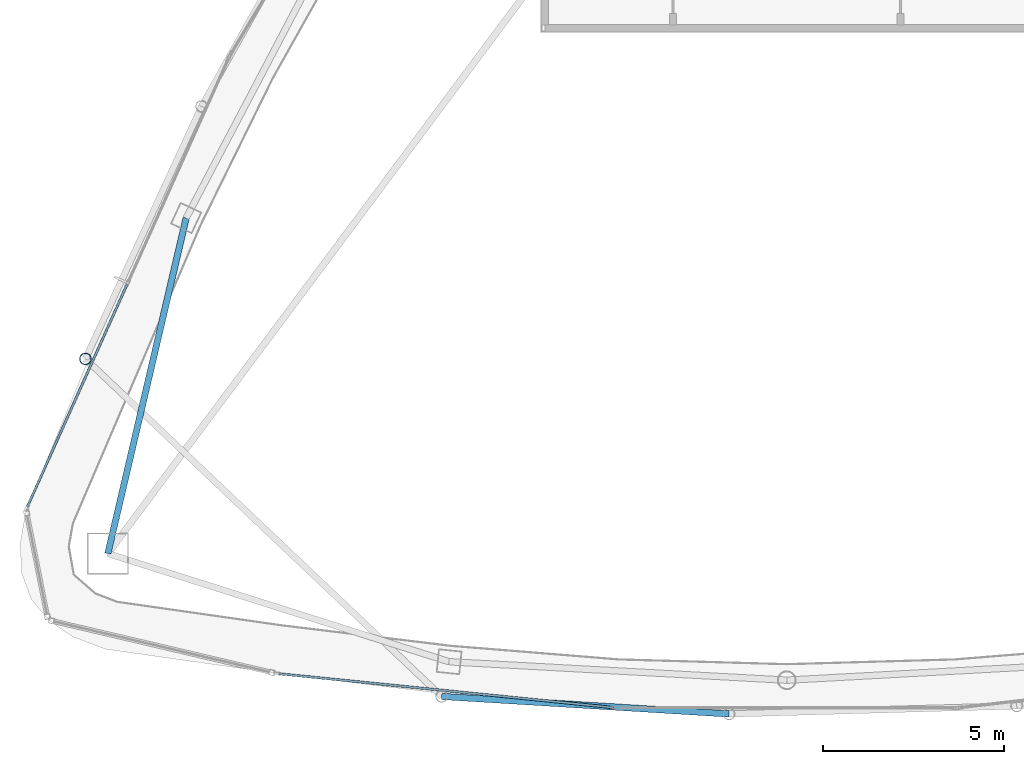
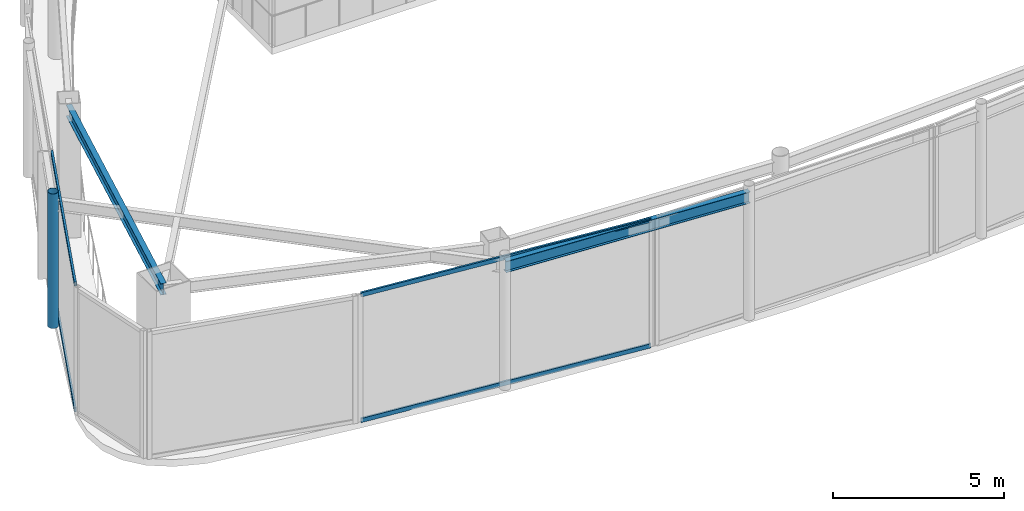
# One storey, part 3 of 19: 5 members, 2 beams, 2 elements without a shape of their own.
"""IFC4 building model written with IfcOpenShell, lengths in metres."""

from ifc_helpers import new_model, si_unit, direction, frame, origin, origin_2d, place, context, subcontext, project, spatial, hollow_rectangle, hollow_circle, i_section, extrude, material, layer, layer_set, material_profile, profile_set, type_object, element, aggregate, save


model = new_model("IFC4")

# Units and contexts
model_context = context("Model", 3, precision=1e-05, world=origin(), true_north=direction((0.0, 1.0)))
body_context = subcontext(model_context, "Body", "Model", "MODEL_VIEW")
ifc_project = project(units=[si_unit("LENGTHUNIT", "METRE"), si_unit("AREAUNIT", "SQUARE_METRE"), si_unit("VOLUMEUNIT", "CUBIC_METRE"), si_unit("PLANEANGLEUNIT", "RADIAN"), si_unit("MASSUNIT", "GRAM", prefix="KILO")], contexts=[model_context])

# Site, building, storey
site_placement = place(None, origin())
site = spatial("IfcSite", under=ifc_project, at=site_placement, CompositionType="ELEMENT")
building_placement = place(site_placement, origin())
building = spatial("IfcBuilding", under=site, at=building_placement, Name="Orvanel Arch Residences", CompositionType="ELEMENT")
storey_placement = place(building_placement, frame((0.0, 0.0, 295.699951171875)))
storey = spatial("IfcBuildingStorey", under=building, at=storey_placement, Name="L83", CompositionType="ELEMENT", Elevation=295.699951171875)

# Beams
ifc_material_1 = material(Name="Structural steel AS/NZS 3679.1 Grade 300 (300 MPa)", Category="steel")
ifc_material_profile_1 = material_profile(ifc_material_1, i_section(OverallWidth=0.177978515625, OverallDepth=0.406005859375, WebThickness=0.0078125, FlangeThickness=0.0126953125, at=origin_2d()), Name="410UB59.7")
ifc_profile_set_1 = profile_set([ifc_material_profile_1], Name="Structural steel AS/NZS 3679.1 Grade 300 (300 MPa)")
beam_type_1 = type_object("IfcBeamType", Name="OB-410UB", PredefinedType="SPANDREL", material=ifc_profile_set_1)
beam_1_placement = place(storey_placement, frame((16.366943359375, 19.64208984375, 4.34716796875), z_axis=(-0.227236087167, -0.973839699688, 0.0), x_axis=(0.973839699688, -0.227236087167, 0.0)))
element("IfcBeam", 1, at=beam_1_placement, inside=storey, type_object=beam_type_1, Name="L83 Perimeter Spandrel Beam 01", PredefinedType="SPANDREL", context=body_context, shape_type="SweptSolid", body=[
    extrude(i_section(OverallWidth=0.177978515625, OverallDepth=0.406005859375, WebThickness=0.0078125, FlangeThickness=0.0126953125, at=origin_2d()), origin(), (0.0, 0.0, 1.0), 9.54052734375),
])
ifc_material_profile_2 = material_profile(ifc_material_1, i_section(OverallWidth=0.177978515625, OverallDepth=0.406005859375, WebThickness=0.0078125, FlangeThickness=0.0126953125, at=origin_2d()), Name="410UB59.7")
ifc_profile_set_2 = profile_set([ifc_material_profile_2], Name="Structural steel AS/NZS 3679.1 Grade 300 (300 MPa)")
beam_type_2 = type_object("IfcBeamType", Name="OB-410UB-EXT", PredefinedType="SPANDREL", material=ifc_profile_set_2)
beam_2_placement = place(storey_placement, frame((23.44189453125, 6.39404296875, 4.34716796875), z_axis=(0.998146745254, -0.060852895889, 0.0), x_axis=(0.060852895889, 0.998146745254, 0.0)))
element("IfcBeam", 2, at=beam_2_placement, inside=storey, type_object=beam_type_2, Name="L83 Outer Perimeter Floor Ring Beam 05", PredefinedType="SPANDREL", context=body_context, shape_type="SweptSolid", body=[
    extrude(i_section(OverallWidth=0.177978515625, OverallDepth=0.406005859375, WebThickness=0.0078125, FlangeThickness=0.0126953125, at=origin_2d()), origin(), (0.0, 0.0, 1.0), 7.971923828125),
])

# Member
ifc_material_2 = material(Name="Structural steel AS/NZS 1163 C350L0 (Grade 350)", Category="steel")
ifc_material_profile_3 = material_profile(ifc_material_2, hollow_circle(Radius=0.162109375, WallThickness=0.0126953125, at=origin_2d()), Name="CHS324x12.7")
ifc_profile_set_3 = profile_set([ifc_material_profile_3], Name="Structural steel AS/NZS 1163 C350L0 (Grade 350)")
member_type_1 = type_object("IfcMemberType", Name="ST-324CHS-EXT", PredefinedType="STRUT", material=ifc_profile_set_3)
member_1_placement = place(storey_placement, frame((13.577880859375, 15.740966796875, 0.0), z_axis=(0.0, 0.0, 1.0), x_axis=(1.0, 0.0, 0.0)))
element("IfcMember", 3, at=member_1_placement, inside=storey, type_object=member_type_1, Name="L83 Outer Perimeter Frame Post 04", PredefinedType="STRUT", context=body_context, shape_type="SweptSolid", body=[
    extrude(hollow_circle(Radius=0.162109375, WallThickness=0.0126953125, at=origin_2d()), origin(), (0.0, 0.0, 1.0), 4.800048828125),
])

# Curtain wall, members
ifc_material_3 = material(Name="Bronze-anodised aluminium AA6063-T6", Category="aluminium")
ifc_layer = layer(ifc_material_3, 0.2099609375)
ifc_layer_set = layer_set([ifc_layer], Name="Bronze-anodised aluminium AA6063-T6")
curtain_wall_type = type_object("IfcCurtainWallType", Name="CW7-TOP-SYS", PredefinedType="NOTDEFINED", material=ifc_layer_set)
curtain_wall_1_placement = place(storey_placement, origin())
curtain_wall_1 = element("IfcCurtainWall", 4, at=curtain_wall_1_placement, inside=storey, type_object=curtain_wall_type, Name="L83 CW7-TOP-SYS Unitised Curtain Wall", PredefinedType="NOTDEFINED")
ifc_material_profile_4 = material_profile(ifc_material_3, hollow_rectangle(XDim=0.06494140625, YDim=0.14990234375, WallThickness=0.00390625, at=origin_2d()), Name="ALU150x65x4")
ifc_profile_set_4 = profile_set([ifc_material_profile_4], Name="Bronze-anodised aluminium AA6063-T6")
member_type_2 = type_object("IfcMemberType", Name="TRN-150x65", PredefinedType="USERDEFINED", material=ifc_profile_set_4)
member_2_placement = place(storey_placement, frame((14.734619140625, 17.811767578125, 0.032470703125), z_axis=(-0.409346580659, -0.912378965618, 0.0), x_axis=(0.912378965618, -0.409346580659, 0.0)))
member_2 = element("IfcMember", 5, at=member_2_placement, type_object=member_type_2, Name="CW-S7 transom 2.1", ObjectType="TRANSOM", PredefinedType="USERDEFINED", context=body_context, shape_type="SweptSolid", body=[
    extrude(hollow_rectangle(XDim=0.06494140625, YDim=0.14990234375, WallThickness=0.00390625, at=origin_2d()), origin(), (0.0, 0.0, 1.0), 6.751953125),
])
member_3_placement = place(storey_placement, frame((14.734619140625, 17.811767578125, 4.517578125), z_axis=(-0.409346580659, -0.912378965618, 0.0), x_axis=(0.912378965618, -0.409346580659, 0.0)))
member_3 = element("IfcMember", 6, at=member_3_placement, type_object=member_type_2, Name="CW-S7 transom 2.2", ObjectType="TRANSOM", PredefinedType="USERDEFINED", context=body_context, shape_type="SweptSolid", body=[
    extrude(hollow_rectangle(XDim=0.06494140625, YDim=0.14990234375, WallThickness=0.00390625, at=origin_2d()), origin(), (0.0, 0.0, 1.0), 6.751953125),
])
aggregate(curtain_wall_1, [member_2, member_3])

curtain_wall_2_placement = place(storey_placement, origin())
curtain_wall_2 = element("IfcCurtainWall", 7, at=curtain_wall_2_placement, inside=storey, type_object=curtain_wall_type, Name="L83 CW7-TOP-SYS Unitised Curtain Wall", PredefinedType="NOTDEFINED")
member_4_placement = place(storey_placement, frame((18.9326171875, 7.0224609375, 0.032470703125), z_axis=(0.994933979893, -0.100530471276, 0.0), x_axis=(0.100530471276, 0.994933979893, 0.0)))
member_4 = element("IfcMember", 8, at=member_4_placement, type_object=member_type_2, Name="CW-S7 transom 1.1", ObjectType="TRANSOM", PredefinedType="USERDEFINED", context=body_context, shape_type="SweptSolid", body=[
    extrude(hollow_rectangle(XDim=0.06494140625, YDim=0.14990234375, WallThickness=0.00390625, at=origin_2d()), origin(), (0.0, 0.0, 1.0), 9.298828125),
])
member_5_placement = place(storey_placement, frame((18.9326171875, 7.0224609375, 4.517578125), z_axis=(0.994933979893, -0.100530471276, 0.0), x_axis=(0.100530471276, 0.994933979893, 0.0)))
member_5 = element("IfcMember", 9, at=member_5_placement, type_object=member_type_2, Name="CW-S7 transom 1.2", ObjectType="TRANSOM", PredefinedType="USERDEFINED", context=body_context, shape_type="SweptSolid", body=[
    extrude(hollow_rectangle(XDim=0.06494140625, YDim=0.14990234375, WallThickness=0.00390625, at=origin_2d()), origin(), (0.0, 0.0, 1.0), 9.298828125),
])
aggregate(curtain_wall_2, [member_4, member_5])

save(model, "model.ifc")
